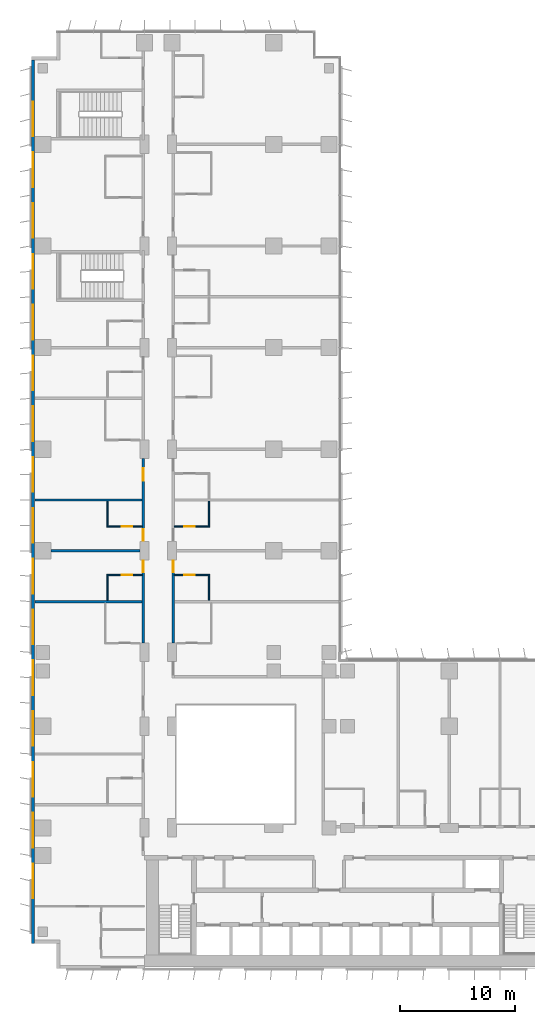
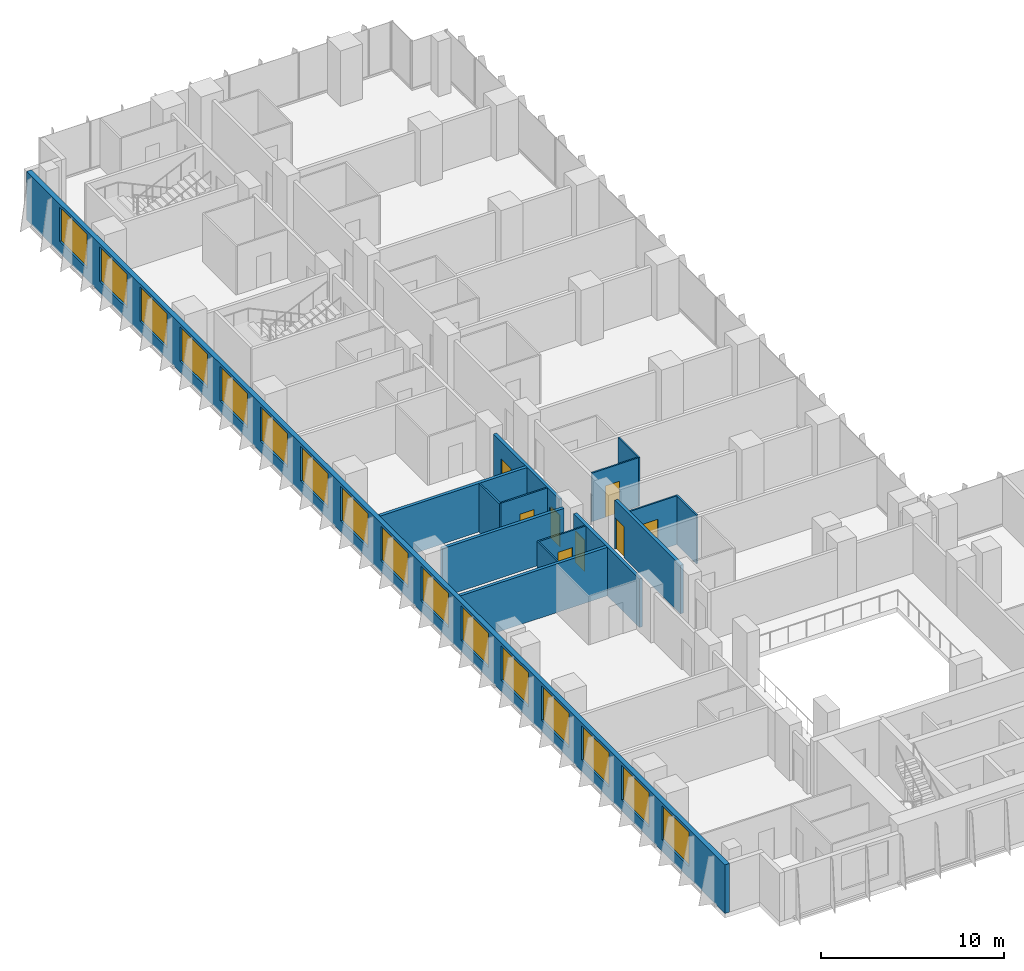
# One storey, part 15 of 23: 16 windows, 15 walls, 8 doors, 24 openings.
"""IFC4 building model written with IfcOpenShell, lengths in metres."""

from ifc_helpers import new_model, si_unit, direction, frame, frame_2d, origin, place, context, subcontext, project, spatial, rectangle, extrude, material, layer, layer_set, type_object, element, fill, save


model = new_model("IFC4")

# Units and contexts
model_context = context("Model", 3, precision=1e-05, world=origin(), true_north=direction((0.0, 1.0)))
body_context = subcontext(model_context, "Body", "Model", "MODEL_VIEW")
ifc_project = project(units=[si_unit("LENGTHUNIT", "METRE"), si_unit("AREAUNIT", "SQUARE_METRE"), si_unit("VOLUMEUNIT", "CUBIC_METRE"), si_unit("PLANEANGLEUNIT", "RADIAN"), si_unit("MASSUNIT", "GRAM", prefix="KILO")], contexts=[model_context])

# Site, building, storey
site_placement = place(None, origin())
site = spatial("IfcSite", under=ifc_project, at=site_placement, CompositionType="ELEMENT")
building_placement = place(site_placement, origin())
building = spatial("IfcBuilding", under=site, at=building_placement, Name="Kemantara Hotel Tower", CompositionType="ELEMENT")
storey_placement = place(building_placement, frame((0.0, 0.0, 67.300048828125)))
storey = spatial("IfcBuildingStorey", under=building, at=storey_placement, Name="L15", CompositionType="ELEMENT", Elevation=67.300048828125)

# Wall, openings, windows
ifc_material_1 = material(Name="Bronze anodised aluminium cladding on insulated steel stud wall", Category="steel")
ifc_layer_1 = layer(ifc_material_1, 0.300048828125)
ifc_layer_set_1 = layer_set([ifc_layer_1], Name="Bronze anodised aluminium cladding on insulated steel stud wall")
wall_type_1 = type_object("IfcWallType", Name="BRONZE METAL-CLAD EXTERNAL WALL 300", PredefinedType="STANDARD", material=ifc_layer_set_1)
wall_1_placement = place(storey_placement, frame((0.14990234375, 78.699951171875, 0.0), z_axis=(0.0, 0.0, 1.0), x_axis=(0.0, -1.0, 0.0)))
wall_1 = element("IfcWall", 1, at=wall_1_placement, inside=storey, type_object=wall_type_1, Name="EXTERNAL WALL L15 T1-R14", PredefinedType="STANDARD", context=body_context, shape_type="SweptSolid", body=[
    extrude(rectangle(XDim=76.5, YDim=0.300048828125, at=frame_2d((38.25, 0.0))), origin(), (0.0, 0.0, 1.0), 3.25),
])
opening_1_placement = place(wall_1_placement, frame((3.60009765625, 0.0, 0.75)))
opening_1 = element("IfcOpeningElement", 2, at=opening_1_placement, cuts=wall_1, Name="Opening W1", PredefinedType="OPENING", context=body_context, shape_type="SweptSolid", body=[
    extrude(rectangle(XDim=3.0, YDim=2.300048828125, at=frame_2d((1.5, 1.14990234375))), frame((0.0, 0.159912109375, 0.0), z_axis=(0.0, -1.0, 0.0), x_axis=(1.0, 0.0, 0.0)), (0.0, 0.0, 1.0), 0.320068359375),
])
opening_2_placement = place(wall_1_placement, frame((8.0, 0.0, 0.75)))
opening_2 = element("IfcOpeningElement", 3, at=opening_2_placement, cuts=wall_1, Name="Opening W1", PredefinedType="OPENING", context=body_context, shape_type="SweptSolid", body=[
    extrude(rectangle(XDim=3.0, YDim=2.300048828125, at=frame_2d((1.5, 1.14990234375))), frame((0.0, 0.159912109375, 0.0), z_axis=(0.0, -1.0, 0.0), x_axis=(1.0, 0.0, 0.0)), (0.0, 0.0, 1.0), 0.320068359375),
])
opening_3_placement = place(wall_1_placement, frame((12.39990234375, 0.0, 0.75)))
opening_3 = element("IfcOpeningElement", 4, at=opening_3_placement, cuts=wall_1, Name="Opening W1", PredefinedType="OPENING", context=body_context, shape_type="SweptSolid", body=[
    extrude(rectangle(XDim=3.0, YDim=2.300048828125, at=frame_2d((1.5, 1.14990234375))), frame((0.0, 0.159912109375, 0.0), z_axis=(0.0, -1.0, 0.0), x_axis=(1.0, 0.0, 0.0)), (0.0, 0.0, 1.0), 0.320068359375),
])
opening_4_placement = place(wall_1_placement, frame((16.800048828125, 0.0, 0.75)))
opening_4 = element("IfcOpeningElement", 5, at=opening_4_placement, cuts=wall_1, Name="Opening W1", PredefinedType="OPENING", context=body_context, shape_type="SweptSolid", body=[
    extrude(rectangle(XDim=3.0, YDim=2.300048828125, at=frame_2d((1.5, 1.14990234375))), frame((0.0, 0.159912109375, 0.0), z_axis=(0.0, -1.0, 0.0), x_axis=(1.0, 0.0, 0.0)), (0.0, 0.0, 1.0), 0.320068359375),
])
opening_5_placement = place(wall_1_placement, frame((21.199951171875, 0.0, 0.75)))
opening_5 = element("IfcOpeningElement", 6, at=opening_5_placement, cuts=wall_1, Name="Opening W1", PredefinedType="OPENING", context=body_context, shape_type="SweptSolid", body=[
    extrude(rectangle(XDim=3.0, YDim=2.300048828125, at=frame_2d((1.5, 1.14990234375))), frame((0.0, 0.159912109375, 0.0), z_axis=(0.0, -1.0, 0.0), x_axis=(1.0, 0.0, 0.0)), (0.0, 0.0, 1.0), 0.320068359375),
])
opening_6_placement = place(wall_1_placement, frame((25.60009765625, 0.0, 0.75)))
opening_6 = element("IfcOpeningElement", 7, at=opening_6_placement, cuts=wall_1, Name="Opening W1", PredefinedType="OPENING", context=body_context, shape_type="SweptSolid", body=[
    extrude(rectangle(XDim=3.0, YDim=2.300048828125, at=frame_2d((1.5, 1.14990234375))), frame((0.0, 0.159912109375, 0.0), z_axis=(0.0, -1.0, 0.0), x_axis=(1.0, 0.0, 0.0)), (0.0, 0.0, 1.0), 0.320068359375),
])
opening_7_placement = place(wall_1_placement, frame((30.0, 0.0, 0.75)))
opening_7 = element("IfcOpeningElement", 8, at=opening_7_placement, cuts=wall_1, Name="Opening W1", PredefinedType="OPENING", context=body_context, shape_type="SweptSolid", body=[
    extrude(rectangle(XDim=3.0, YDim=2.300048828125, at=frame_2d((1.5, 1.14990234375))), frame((0.0, 0.159912109375, 0.0), z_axis=(0.0, -1.0, 0.0), x_axis=(1.0, 0.0, 0.0)), (0.0, 0.0, 1.0), 0.320068359375),
])
opening_8_placement = place(wall_1_placement, frame((34.39990234375, 0.0, 0.75)))
opening_8 = element("IfcOpeningElement", 9, at=opening_8_placement, cuts=wall_1, Name="Opening W1", PredefinedType="OPENING", context=body_context, shape_type="SweptSolid", body=[
    extrude(rectangle(XDim=3.0, YDim=2.300048828125, at=frame_2d((1.5, 1.14990234375))), frame((0.0, 0.159912109375, 0.0), z_axis=(0.0, -1.0, 0.0), x_axis=(1.0, 0.0, 0.0)), (0.0, 0.0, 1.0), 0.320068359375),
])
opening_9_placement = place(wall_1_placement, frame((38.800048828125, 0.0, 0.75)))
opening_9 = element("IfcOpeningElement", 10, at=opening_9_placement, cuts=wall_1, Name="Opening W1", PredefinedType="OPENING", context=body_context, shape_type="SweptSolid", body=[
    extrude(rectangle(XDim=3.0, YDim=2.300048828125, at=frame_2d((1.5, 1.14990234375))), frame((0.0, 0.159912109375, 0.0), z_axis=(0.0, -1.0, 0.0), x_axis=(1.0, 0.0, 0.0)), (0.0, 0.0, 1.0), 0.320068359375),
])
opening_10_placement = place(wall_1_placement, frame((43.199951171875, 0.0, 0.75)))
opening_10 = element("IfcOpeningElement", 11, at=opening_10_placement, cuts=wall_1, Name="Opening W1", PredefinedType="OPENING", context=body_context, shape_type="SweptSolid", body=[
    extrude(rectangle(XDim=3.0, YDim=2.300048828125, at=frame_2d((1.5, 1.14990234375))), frame((0.0, 0.159912109375, 0.0), z_axis=(0.0, -1.0, 0.0), x_axis=(1.0, 0.0, 0.0)), (0.0, 0.0, 1.0), 0.320068359375),
])
opening_11_placement = place(wall_1_placement, frame((47.60009765625, 0.0, 0.75)))
opening_11 = element("IfcOpeningElement", 12, at=opening_11_placement, cuts=wall_1, Name="Opening W1", PredefinedType="OPENING", context=body_context, shape_type="SweptSolid", body=[
    extrude(rectangle(XDim=3.0, YDim=2.300048828125, at=frame_2d((1.5, 1.14990234375))), frame((0.0, 0.159912109375, 0.0), z_axis=(0.0, -1.0, 0.0), x_axis=(1.0, 0.0, 0.0)), (0.0, 0.0, 1.0), 0.320068359375),
])
opening_12_placement = place(wall_1_placement, frame((52.0, 0.0, 0.75)))
opening_12 = element("IfcOpeningElement", 13, at=opening_12_placement, cuts=wall_1, Name="Opening W1", PredefinedType="OPENING", context=body_context, shape_type="SweptSolid", body=[
    extrude(rectangle(XDim=3.0, YDim=2.300048828125, at=frame_2d((1.5, 1.14990234375))), frame((0.0, 0.159912109375, 0.0), z_axis=(0.0, -1.0, 0.0), x_axis=(1.0, 0.0, 0.0)), (0.0, 0.0, 1.0), 0.320068359375),
])
opening_13_placement = place(wall_1_placement, frame((56.39990234375, 0.0, 0.75)))
opening_13 = element("IfcOpeningElement", 14, at=opening_13_placement, cuts=wall_1, Name="Opening W1", PredefinedType="OPENING", context=body_context, shape_type="SweptSolid", body=[
    extrude(rectangle(XDim=3.0, YDim=2.300048828125, at=frame_2d((1.5, 1.14990234375))), frame((0.0, 0.159912109375, 0.0), z_axis=(0.0, -1.0, 0.0), x_axis=(1.0, 0.0, 0.0)), (0.0, 0.0, 1.0), 0.320068359375),
])
opening_14_placement = place(wall_1_placement, frame((60.800048828125, 0.0, 0.75)))
opening_14 = element("IfcOpeningElement", 15, at=opening_14_placement, cuts=wall_1, Name="Opening W1", PredefinedType="OPENING", context=body_context, shape_type="SweptSolid", body=[
    extrude(rectangle(XDim=3.0, YDim=2.300048828125, at=frame_2d((1.5, 1.14990234375))), frame((0.0, 0.159912109375, 0.0), z_axis=(0.0, -1.0, 0.0), x_axis=(1.0, 0.0, 0.0)), (0.0, 0.0, 1.0), 0.320068359375),
])
opening_15_placement = place(wall_1_placement, frame((65.199951171875, 0.0, 0.75)))
opening_15 = element("IfcOpeningElement", 16, at=opening_15_placement, cuts=wall_1, Name="Opening W1", PredefinedType="OPENING", context=body_context, shape_type="SweptSolid", body=[
    extrude(rectangle(XDim=3.0, YDim=2.300048828125, at=frame_2d((1.5, 1.14990234375))), frame((0.0, 0.159912109375, 0.0), z_axis=(0.0, -1.0, 0.0), x_axis=(1.0, 0.0, 0.0)), (0.0, 0.0, 1.0), 0.320068359375),
])
opening_16_placement = place(wall_1_placement, frame((69.60009765625, 0.0, 0.75)))
opening_16 = element("IfcOpeningElement", 17, at=opening_16_placement, cuts=wall_1, Name="Opening W1", PredefinedType="OPENING", context=body_context, shape_type="SweptSolid", body=[
    extrude(rectangle(XDim=3.0, YDim=2.300048828125, at=frame_2d((1.5, 1.14990234375))), frame((0.0, 0.159912109375, 0.0), z_axis=(0.0, -1.0, 0.0), x_axis=(1.0, 0.0, 0.0)), (0.0, 0.0, 1.0), 0.320068359375),
])
ifc_material_2 = material(Name="Low-E tinted double insulated glass in bronze anodised aluminium frame", Category="aluminium")
window_type = type_object("IfcWindowType", Name="CHICAGO WINDOW, TRIPLE PANEL 3000x2300", PartitioningType="TRIPLE_PANEL_VERTICAL", PredefinedType="WINDOW", material=ifc_material_2)
window_1_placement = place(opening_1_placement, origin())
window_1 = element("IfcWindow", 18, at=window_1_placement, inside=storey, type_object=window_type, Name="CHICAGO WINDOW L15 T1-R14-54", OverallHeight=2.300048828125, OverallWidth=3.0, PartitioningType="SINGLE_PANEL", PredefinedType="WINDOW", context=body_context, shape_type="SweptSolid", body=[
    extrude(rectangle(XDim=3.0, YDim=2.300048828125, at=frame_2d((1.5, 1.14990234375))), frame((0.0, 0.030029296875, 0.0), z_axis=(0.0, -1.0, 0.0), x_axis=(1.0, 0.0, 0.0)), (0.0, 0.0, 1.0), 0.06005859375),
])
fill(opening_1, window_1)
window_2_placement = place(opening_2_placement, origin())
window_2 = element("IfcWindow", 19, at=window_2_placement, inside=storey, type_object=window_type, Name="CHICAGO WINDOW L15 T1-R14-98", OverallHeight=2.300048828125, OverallWidth=3.0, PartitioningType="SINGLE_PANEL", PredefinedType="WINDOW", context=body_context, shape_type="SweptSolid", body=[
    extrude(rectangle(XDim=3.0, YDim=2.300048828125, at=frame_2d((1.5, 1.14990234375))), frame((0.0, 0.030029296875, 0.0), z_axis=(0.0, -1.0, 0.0), x_axis=(1.0, 0.0, 0.0)), (0.0, 0.0, 1.0), 0.06005859375),
])
fill(opening_2, window_2)
window_3_placement = place(opening_3_placement, origin())
window_3 = element("IfcWindow", 20, at=window_3_placement, inside=storey, type_object=window_type, Name="CHICAGO WINDOW L15 T1-R14-142", OverallHeight=2.300048828125, OverallWidth=3.0, PartitioningType="SINGLE_PANEL", PredefinedType="WINDOW", context=body_context, shape_type="SweptSolid", body=[
    extrude(rectangle(XDim=3.0, YDim=2.300048828125, at=frame_2d((1.5, 1.14990234375))), frame((0.0, 0.030029296875, 0.0), z_axis=(0.0, -1.0, 0.0), x_axis=(1.0, 0.0, 0.0)), (0.0, 0.0, 1.0), 0.06005859375),
])
fill(opening_3, window_3)
window_4_placement = place(opening_4_placement, origin())
window_4 = element("IfcWindow", 21, at=window_4_placement, inside=storey, type_object=window_type, Name="CHICAGO WINDOW L15 T1-R14-186", OverallHeight=2.300048828125, OverallWidth=3.0, PartitioningType="SINGLE_PANEL", PredefinedType="WINDOW", context=body_context, shape_type="SweptSolid", body=[
    extrude(rectangle(XDim=3.0, YDim=2.300048828125, at=frame_2d((1.5, 1.14990234375))), frame((0.0, 0.030029296875, 0.0), z_axis=(0.0, -1.0, 0.0), x_axis=(1.0, 0.0, 0.0)), (0.0, 0.0, 1.0), 0.06005859375),
])
fill(opening_4, window_4)
window_5_placement = place(opening_5_placement, origin())
window_5 = element("IfcWindow", 22, at=window_5_placement, inside=storey, type_object=window_type, Name="CHICAGO WINDOW L15 T1-R14-230", OverallHeight=2.300048828125, OverallWidth=3.0, PartitioningType="SINGLE_PANEL", PredefinedType="WINDOW", context=body_context, shape_type="SweptSolid", body=[
    extrude(rectangle(XDim=3.0, YDim=2.300048828125, at=frame_2d((1.5, 1.14990234375))), frame((0.0, 0.030029296875, 0.0), z_axis=(0.0, -1.0, 0.0), x_axis=(1.0, 0.0, 0.0)), (0.0, 0.0, 1.0), 0.06005859375),
])
fill(opening_5, window_5)
window_6_placement = place(opening_6_placement, origin())
window_6 = element("IfcWindow", 23, at=window_6_placement, inside=storey, type_object=window_type, Name="CHICAGO WINDOW L15 T1-R14-274", OverallHeight=2.300048828125, OverallWidth=3.0, PartitioningType="SINGLE_PANEL", PredefinedType="WINDOW", context=body_context, shape_type="SweptSolid", body=[
    extrude(rectangle(XDim=3.0, YDim=2.300048828125, at=frame_2d((1.5, 1.14990234375))), frame((0.0, 0.030029296875, 0.0), z_axis=(0.0, -1.0, 0.0), x_axis=(1.0, 0.0, 0.0)), (0.0, 0.0, 1.0), 0.06005859375),
])
fill(opening_6, window_6)
window_7_placement = place(opening_7_placement, origin())
window_7 = element("IfcWindow", 24, at=window_7_placement, inside=storey, type_object=window_type, Name="CHICAGO WINDOW L15 T1-R14-318", OverallHeight=2.300048828125, OverallWidth=3.0, PartitioningType="SINGLE_PANEL", PredefinedType="WINDOW", context=body_context, shape_type="SweptSolid", body=[
    extrude(rectangle(XDim=3.0, YDim=2.300048828125, at=frame_2d((1.5, 1.14990234375))), frame((0.0, 0.030029296875, 0.0), z_axis=(0.0, -1.0, 0.0), x_axis=(1.0, 0.0, 0.0)), (0.0, 0.0, 1.0), 0.06005859375),
])
fill(opening_7, window_7)
window_8_placement = place(opening_8_placement, origin())
window_8 = element("IfcWindow", 25, at=window_8_placement, inside=storey, type_object=window_type, Name="CHICAGO WINDOW L15 T1-R14-362", OverallHeight=2.300048828125, OverallWidth=3.0, PartitioningType="SINGLE_PANEL", PredefinedType="WINDOW", context=body_context, shape_type="SweptSolid", body=[
    extrude(rectangle(XDim=3.0, YDim=2.300048828125, at=frame_2d((1.5, 1.14990234375))), frame((0.0, 0.030029296875, 0.0), z_axis=(0.0, -1.0, 0.0), x_axis=(1.0, 0.0, 0.0)), (0.0, 0.0, 1.0), 0.06005859375),
])
fill(opening_8, window_8)
window_9_placement = place(opening_9_placement, origin())
window_9 = element("IfcWindow", 26, at=window_9_placement, inside=storey, type_object=window_type, Name="CHICAGO WINDOW L15 T1-R14-406", OverallHeight=2.300048828125, OverallWidth=3.0, PartitioningType="SINGLE_PANEL", PredefinedType="WINDOW", context=body_context, shape_type="SweptSolid", body=[
    extrude(rectangle(XDim=3.0, YDim=2.300048828125, at=frame_2d((1.5, 1.14990234375))), frame((0.0, 0.030029296875, 0.0), z_axis=(0.0, -1.0, 0.0), x_axis=(1.0, 0.0, 0.0)), (0.0, 0.0, 1.0), 0.06005859375),
])
fill(opening_9, window_9)
window_10_placement = place(opening_10_placement, origin())
window_10 = element("IfcWindow", 27, at=window_10_placement, inside=storey, type_object=window_type, Name="CHICAGO WINDOW L15 T1-R14-450", OverallHeight=2.300048828125, OverallWidth=3.0, PartitioningType="SINGLE_PANEL", PredefinedType="WINDOW", context=body_context, shape_type="SweptSolid", body=[
    extrude(rectangle(XDim=3.0, YDim=2.300048828125, at=frame_2d((1.5, 1.14990234375))), frame((0.0, 0.030029296875, 0.0), z_axis=(0.0, -1.0, 0.0), x_axis=(1.0, 0.0, 0.0)), (0.0, 0.0, 1.0), 0.06005859375),
])
fill(opening_10, window_10)
window_11_placement = place(opening_11_placement, origin())
window_11 = element("IfcWindow", 28, at=window_11_placement, inside=storey, type_object=window_type, Name="CHICAGO WINDOW L15 T1-R14-494", OverallHeight=2.300048828125, OverallWidth=3.0, PartitioningType="SINGLE_PANEL", PredefinedType="WINDOW", context=body_context, shape_type="SweptSolid", body=[
    extrude(rectangle(XDim=3.0, YDim=2.300048828125, at=frame_2d((1.5, 1.14990234375))), frame((0.0, 0.030029296875, 0.0), z_axis=(0.0, -1.0, 0.0), x_axis=(1.0, 0.0, 0.0)), (0.0, 0.0, 1.0), 0.06005859375),
])
fill(opening_11, window_11)
window_12_placement = place(opening_12_placement, origin())
window_12 = element("IfcWindow", 29, at=window_12_placement, inside=storey, type_object=window_type, Name="CHICAGO WINDOW L15 T1-R14-538", OverallHeight=2.300048828125, OverallWidth=3.0, PartitioningType="SINGLE_PANEL", PredefinedType="WINDOW", context=body_context, shape_type="SweptSolid", body=[
    extrude(rectangle(XDim=3.0, YDim=2.300048828125, at=frame_2d((1.5, 1.14990234375))), frame((0.0, 0.030029296875, 0.0), z_axis=(0.0, -1.0, 0.0), x_axis=(1.0, 0.0, 0.0)), (0.0, 0.0, 1.0), 0.06005859375),
])
fill(opening_12, window_12)
window_13_placement = place(opening_13_placement, origin())
window_13 = element("IfcWindow", 30, at=window_13_placement, inside=storey, type_object=window_type, Name="CHICAGO WINDOW L15 T1-R14-582", OverallHeight=2.300048828125, OverallWidth=3.0, PartitioningType="SINGLE_PANEL", PredefinedType="WINDOW", context=body_context, shape_type="SweptSolid", body=[
    extrude(rectangle(XDim=3.0, YDim=2.300048828125, at=frame_2d((1.5, 1.14990234375))), frame((0.0, 0.030029296875, 0.0), z_axis=(0.0, -1.0, 0.0), x_axis=(1.0, 0.0, 0.0)), (0.0, 0.0, 1.0), 0.06005859375),
])
fill(opening_13, window_13)
window_14_placement = place(opening_14_placement, origin())
window_14 = element("IfcWindow", 31, at=window_14_placement, inside=storey, type_object=window_type, Name="CHICAGO WINDOW L15 T1-R14-626", OverallHeight=2.300048828125, OverallWidth=3.0, PartitioningType="SINGLE_PANEL", PredefinedType="WINDOW", context=body_context, shape_type="SweptSolid", body=[
    extrude(rectangle(XDim=3.0, YDim=2.300048828125, at=frame_2d((1.5, 1.14990234375))), frame((0.0, 0.030029296875, 0.0), z_axis=(0.0, -1.0, 0.0), x_axis=(1.0, 0.0, 0.0)), (0.0, 0.0, 1.0), 0.06005859375),
])
fill(opening_14, window_14)
window_15_placement = place(opening_15_placement, origin())
window_15 = element("IfcWindow", 32, at=window_15_placement, inside=storey, type_object=window_type, Name="CHICAGO WINDOW L15 T1-R14-670", OverallHeight=2.300048828125, OverallWidth=3.0, PartitioningType="SINGLE_PANEL", PredefinedType="WINDOW", context=body_context, shape_type="SweptSolid", body=[
    extrude(rectangle(XDim=3.0, YDim=2.300048828125, at=frame_2d((1.5, 1.14990234375))), frame((0.0, 0.030029296875, 0.0), z_axis=(0.0, -1.0, 0.0), x_axis=(1.0, 0.0, 0.0)), (0.0, 0.0, 1.0), 0.06005859375),
])
fill(opening_15, window_15)
window_16_placement = place(opening_16_placement, origin())
window_16 = element("IfcWindow", 33, at=window_16_placement, inside=storey, type_object=window_type, Name="CHICAGO WINDOW L15 T1-R14-714", OverallHeight=2.300048828125, OverallWidth=3.0, PartitioningType="SINGLE_PANEL", PredefinedType="WINDOW", context=body_context, shape_type="SweptSolid", body=[
    extrude(rectangle(XDim=3.0, YDim=2.300048828125, at=frame_2d((1.5, 1.14990234375))), frame((0.0, 0.030029296875, 0.0), z_axis=(0.0, -1.0, 0.0), x_axis=(1.0, 0.0, 0.0)), (0.0, 0.0, 1.0), 0.06005859375),
])
fill(opening_16, window_16)

# Wall, opening, door
ifc_material_3 = material(Name="Gypsum board partition, steel studs and mineral wool, 200 mm", Category="steel")
ifc_layer_2 = layer(ifc_material_3, 0.199951171875)
ifc_layer_set_2 = layer_set([ifc_layer_2], Name="Gypsum board partition, steel studs and mineral wool, 200 mm")
wall_type_2 = type_object("IfcWallType", Name="CORRIDOR WALL 200", PredefinedType="PARTITIONING", material=ifc_layer_set_2)
wall_2_placement = place(storey_placement, frame((9.699951171875, 28.2001953125, 0.0), z_axis=(0.0, 0.0, 1.0), x_axis=(0.0, 1.0, 0.0)))
wall_2 = element("IfcWall", 34, at=wall_2_placement, inside=storey, type_object=wall_type_2, Name="CORRIDOR WALL 200 029", PredefinedType="PARTITIONING", context=body_context, shape_type="SweptSolid", body=[
    extrude(rectangle(XDim=7.19970703125, YDim=0.199951171875, at=frame_2d((3.599853515625, 0.0))), origin(), (0.0, 0.0, 1.0), 3.25),
])
opening_17_placement = place(wall_2_placement, frame((6.14990234375, 0.0, 0.0)))
opening_17 = element("IfcOpeningElement", 35, at=opening_17_placement, cuts=wall_2, Name="Opening F05-035", PredefinedType="OPENING", context=body_context, shape_type="SweptSolid", body=[
    extrude(rectangle(XDim=1.0, YDim=2.10009765625, at=frame_2d((0.5, 1.050048828125))), frame((0.0, 0.10986328125, 0.0), z_axis=(0.0, -1.0, 0.0), x_axis=(1.0, 0.0, 0.0)), (0.0, 0.0, 1.0), 0.219970703125),
])
ifc_material_4 = material(Name="Hardwood veneer door leaf with steel frame", Category="steel")
door_type_1 = type_object("IfcDoorType", Name="GUEST ROOM DOOR 1000 X 2100 FD30S", OperationType="NOTDEFINED", PredefinedType="DOOR", material=ifc_material_4)
door_1_placement = place(opening_17_placement, origin())
door_1 = element("IfcDoor", 36, at=door_1_placement, inside=storey, type_object=door_type_1, Name="GUEST ROOM DOOR F05-035", OperationType="SINGLE_SWING_RIGHT", OverallHeight=2.10009765625, OverallWidth=1.0, PredefinedType="DOOR", context=body_context, shape_type="SweptSolid", body=[
    extrude(rectangle(XDim=1.0, YDim=2.10009765625, at=frame_2d((0.5, 1.050048828125))), frame((0.0, 0.02490234375, 0.0), z_axis=(0.0, -1.0, 0.0), x_axis=(1.0, 0.0, 0.0)), (0.0, 0.0, 1.0), 0.050048828125),
])
fill(opening_17, door_1)

# Wall, openings, doors
wall_3_placement = place(storey_placement, frame((9.699951171875, 37.0, 0.0), z_axis=(0.0, 0.0, 1.0), x_axis=(0.0, 1.0, 0.0)))
wall_3 = element("IfcWall", 37, at=wall_3_placement, inside=storey, type_object=wall_type_2, Name="CORRIDOR WALL 200 030", PredefinedType="PARTITIONING", context=body_context, shape_type="SweptSolid", body=[
    extrude(rectangle(XDim=7.199951171875, YDim=0.199951171875, at=frame_2d((3.60009765625, 0.0))), origin(), (0.0, 0.0, 1.0), 3.25),
])
opening_18_placement = place(wall_3_placement, frame((0.0498046875, 0.0, 0.0)))
opening_18 = element("IfcOpeningElement", 38, at=opening_18_placement, cuts=wall_3, Name="Opening F05-037", PredefinedType="OPENING", context=body_context, shape_type="SweptSolid", body=[
    extrude(rectangle(XDim=1.0, YDim=2.10009765625, at=frame_2d((0.5, 1.050048828125))), frame((0.0, 0.10986328125, 0.0), z_axis=(0.0, -1.0, 0.0), x_axis=(1.0, 0.0, 0.0)), (0.0, 0.0, 1.0), 0.219970703125),
])
opening_19_placement = place(wall_3_placement, frame((5.25, 0.0, 0.0)))
opening_19 = element("IfcOpeningElement", 39, at=opening_19_placement, cuts=wall_3, Name="Opening F05-039", PredefinedType="OPENING", context=body_context, shape_type="SweptSolid", body=[
    extrude(rectangle(XDim=1.10009765625, YDim=2.10009765625, at=frame_2d((0.550048828125, 1.050048828125))), frame((0.0, 0.10986328125, 0.0), z_axis=(0.0, -1.0, 0.0), x_axis=(1.0, 0.0, 0.0)), (0.0, 0.0, 1.0), 0.219970703125),
])
door_2_placement = place(opening_18_placement, origin())
door_2 = element("IfcDoor", 40, at=door_2_placement, inside=storey, type_object=door_type_1, Name="GUEST ROOM DOOR F05-037", OperationType="SINGLE_SWING_LEFT", OverallHeight=2.10009765625, OverallWidth=1.0, PredefinedType="DOOR", context=body_context, shape_type="SweptSolid", body=[
    extrude(rectangle(XDim=1.0, YDim=2.10009765625, at=frame_2d((0.5, 1.050048828125))), frame((0.0, 0.02490234375, 0.0), z_axis=(0.0, -1.0, 0.0), x_axis=(1.0, 0.0, 0.0)), (0.0, 0.0, 1.0), 0.050048828125),
])
fill(opening_18, door_2)
door_type_2 = type_object("IfcDoorType", Name="SUITE ENTRANCE DOOR 1100 X 2100 FD30S", OperationType="NOTDEFINED", PredefinedType="DOOR", material=ifc_material_4)
door_3_placement = place(opening_19_placement, origin())
door_3 = element("IfcDoor", 41, at=door_3_placement, inside=storey, type_object=door_type_2, Name="SUITE ENTRANCE DOOR F05-039", OperationType="SINGLE_SWING_LEFT", OverallHeight=2.10009765625, OverallWidth=1.10009765625, PredefinedType="DOOR", context=body_context, shape_type="SweptSolid", body=[
    extrude(rectangle(XDim=1.10009765625, YDim=2.10009765625, at=frame_2d((0.550048828125, 1.050048828125))), frame((0.0, 0.02490234375, 0.0), z_axis=(0.0, -1.0, 0.0), x_axis=(1.0, 0.0, 0.0)), (0.0, 0.0, 1.0), 0.050048828125),
])
fill(opening_19, door_3)

# Wall, opening, door
wall_4_placement = place(storey_placement, frame((12.300048828125, 35.39990234375, 0.0), z_axis=(0.0, 0.0, 1.0), x_axis=(0.0, -1.0, 0.0)))
wall_4 = element("IfcWall", 42, at=wall_4_placement, inside=storey, type_object=wall_type_2, Name="CORRIDOR WALL 200 049", PredefinedType="PARTITIONING", context=body_context, shape_type="SweptSolid", body=[
    extrude(rectangle(XDim=7.19970703125, YDim=0.199951171875, at=frame_2d((3.599853515625, 0.0))), origin(), (0.0, 0.0, 1.0), 3.25),
])
opening_20_placement = place(wall_4_placement, frame((0.0498046875, 0.0, 0.0)))
opening_20 = element("IfcOpeningElement", 43, at=opening_20_placement, cuts=wall_4, Name="Opening F05-051", PredefinedType="OPENING", context=body_context, shape_type="SweptSolid", body=[
    extrude(rectangle(XDim=1.0, YDim=2.10009765625, at=frame_2d((0.5, 1.050048828125))), frame((0.0, 0.10986328125, 0.0), z_axis=(0.0, -1.0, 0.0), x_axis=(1.0, 0.0, 0.0)), (0.0, 0.0, 1.0), 0.219970703125),
])
door_4_placement = place(opening_20_placement, origin())
door_4 = element("IfcDoor", 44, at=door_4_placement, inside=storey, type_object=door_type_1, Name="GUEST ROOM DOOR F05-051", OperationType="SINGLE_SWING_LEFT", OverallHeight=2.10009765625, OverallWidth=1.0, PredefinedType="DOOR", context=body_context, shape_type="SweptSolid", body=[
    extrude(rectangle(XDim=1.0, YDim=2.10009765625, at=frame_2d((0.5, 1.050048828125))), frame((0.0, 0.02490234375, 0.0), z_axis=(0.0, -1.0, 0.0), x_axis=(1.0, 0.0, 0.0)), (0.0, 0.0, 1.0), 0.050048828125),
])
fill(opening_20, door_4)

# Walls
ifc_layer_3 = layer(ifc_material_3, 0.199951171875)
ifc_layer_set_3 = layer_set([ifc_layer_3], Name="Gypsum board partition, steel studs and mineral wool, 200 mm")
wall_type_3 = type_object("IfcWallType", Name="GUEST ROOM PARTY WALL 200", PredefinedType="PARTITIONING", material=ifc_layer_set_3)
wall_5_placement = place(storey_placement, frame((0.31005859375, 31.800048828125, 0.0), z_axis=(0.0, 0.0, 1.0), x_axis=(1.0, 0.0, 0.0)))
element("IfcWall", 45, at=wall_5_placement, inside=storey, type_object=wall_type_3, Name="GUEST ROOM PARTY WALL 200 037", PredefinedType="PARTITIONING", context=body_context, shape_type="SweptSolid", body=[
    extrude(rectangle(XDim=9.2900390625, YDim=0.199951171875, at=frame_2d((4.64501953125, 0.0))), origin(), (0.0, 0.0, 1.0), 3.25),
])
wall_6_placement = place(storey_placement, frame((1.7001953125, 36.199951171875, 0.0), z_axis=(0.0, 0.0, 1.0), x_axis=(1.0, 0.0, 0.0)))
element("IfcWall", 46, at=wall_6_placement, inside=storey, type_object=wall_type_3, Name="GUEST ROOM PARTY WALL 200 039", PredefinedType="PARTITIONING", context=body_context, shape_type="SweptSolid", body=[
    extrude(rectangle(XDim=7.69970703125, YDim=0.199951171875, at=frame_2d((3.849853515625, 0.0))), origin(), (0.0, 0.0, 1.0), 3.25),
])
wall_7_placement = place(storey_placement, frame((0.31005859375, 40.60009765625, 0.0), z_axis=(0.0, 0.0, 1.0), x_axis=(1.0, 0.0, 0.0)))
element("IfcWall", 47, at=wall_7_placement, inside=storey, type_object=wall_type_3, Name="GUEST ROOM PARTY WALL 200 042", PredefinedType="PARTITIONING", context=body_context, shape_type="SweptSolid", body=[
    extrude(rectangle(XDim=9.2900390625, YDim=0.199951171875, at=frame_2d((4.64501953125, 0.0))), origin(), (0.0, 0.0, 1.0), 3.25),
])
ifc_material_5 = material(Name="Gypsum board partition on steel studs, 100 mm", Category="steel")
ifc_layer_4 = layer(ifc_material_5, 0.10009765625)
ifc_layer_set_4 = layer_set([ifc_layer_4], Name="Gypsum board partition on steel studs, 100 mm")
wall_type_4 = type_object("IfcWallType", Name="ROOM PARTITION 100", PredefinedType="PARTITIONING", material=ifc_layer_set_4)
for number, where, z_axis, x_axis, name in (
    (48, (6.60009765625, 31.89990234375, 0.0), (0.0, 0.0, 1.0), (0.0, 1.0, 0.0), "ROOM PARTITION 100 097"),
    (49, (6.60009765625, 38.25, 0.0), (0.0, 0.0, 1.0), (0.0, 1.0, 0.0), "ROOM PARTITION 100 098"),
):
    element("IfcWall", number, at=place(storey_placement, frame(where, z_axis=z_axis, x_axis=x_axis)), inside=storey, type_object=wall_type_4, Name=name, PredefinedType="PARTITIONING", context=body_context, shape_type="SweptSolid", body=[
        extrude(rectangle(XDim=2.25, YDim=0.10009765625, at=frame_2d((1.125, 0.0))), origin(), (0.0, 0.0, 1.0), 3.25),
    ])

# Wall, opening, door
wall_8_placement = place(storey_placement, frame((9.60009765625, 34.10009765625, 0.0), z_axis=(0.0, 0.0, 1.0), x_axis=(-1.0, 0.0, 0.0)))
wall_8 = element("IfcWall", 50, at=wall_8_placement, inside=storey, type_object=wall_type_4, Name="ROOM PARTITION 100 107", PredefinedType="PARTITIONING", context=body_context, shape_type="SweptSolid", body=[
    extrude(rectangle(XDim=2.9501953125, YDim=0.10009765625, at=frame_2d((1.47509765625, 0.0))), origin(), (0.0, 0.0, 1.0), 3.25),
])
opening_21_placement = place(wall_8_placement, frame((0.85009765625, 0.0, 0.0)))
opening_21 = element("IfcOpeningElement", 51, at=opening_21_placement, cuts=wall_8, Name="Opening F05-036", PredefinedType="OPENING", context=body_context, shape_type="SweptSolid", body=[
    extrude(rectangle(XDim=0.89990234375, YDim=2.10009765625, at=frame_2d((0.449951171875, 1.050048828125))), frame((0.0, 0.06005859375, 0.0), z_axis=(0.0, -1.0, 0.0), x_axis=(1.0, 0.0, 0.0)), (0.0, 0.0, 1.0), 0.1201171875),
])
door_type_3 = type_object("IfcDoorType", Name="BATHROOM DOOR 900 X 2100", OperationType="NOTDEFINED", PredefinedType="DOOR", material=ifc_material_4)
door_5_placement = place(opening_21_placement, origin())
door_5 = element("IfcDoor", 52, at=door_5_placement, inside=storey, type_object=door_type_3, Name="BATHROOM DOOR F05-036", OperationType="SINGLE_SWING_LEFT", OverallHeight=2.10009765625, OverallWidth=0.89990234375, PredefinedType="DOOR", context=body_context, shape_type="SweptSolid", body=[
    extrude(rectangle(XDim=0.89990234375, YDim=2.10009765625, at=frame_2d((0.449951171875, 1.050048828125))), frame((0.0, 0.02490234375, 0.0), z_axis=(0.0, -1.0, 0.0), x_axis=(1.0, 0.0, 0.0)), (0.0, 0.0, 1.0), 0.050048828125),
])
fill(opening_21, door_5)

wall_9_placement = place(storey_placement, frame((15.35009765625, 34.10009765625, 0.0), z_axis=(0.0, 0.0, 1.0), x_axis=(-1.0, 0.0, 0.0)))
wall_9 = element("IfcWall", 53, at=wall_9_placement, inside=storey, type_object=wall_type_4, Name="ROOM PARTITION 100 108", PredefinedType="PARTITIONING", context=body_context, shape_type="SweptSolid", body=[
    extrude(rectangle(XDim=2.9501953125, YDim=0.10009765625, at=frame_2d((1.47509765625, 0.0))), origin(), (0.0, 0.0, 1.0), 3.25),
])
opening_22_placement = place(wall_9_placement, frame((1.199951171875, 0.0, 0.0)))
opening_22 = element("IfcOpeningElement", 54, at=opening_22_placement, cuts=wall_9, Name="Opening F05-052", PredefinedType="OPENING", context=body_context, shape_type="SweptSolid", body=[
    extrude(rectangle(XDim=0.89990234375, YDim=2.10009765625, at=frame_2d((0.449951171875, 1.050048828125))), frame((0.0, 0.06005859375, 0.0), z_axis=(0.0, -1.0, 0.0), x_axis=(1.0, 0.0, 0.0)), (0.0, 0.0, 1.0), 0.1201171875),
])
door_6_placement = place(opening_22_placement, origin())
door_6 = element("IfcDoor", 55, at=door_6_placement, inside=storey, type_object=door_type_3, Name="BATHROOM DOOR F05-052", OperationType="SINGLE_SWING_RIGHT", OverallHeight=2.10009765625, OverallWidth=0.89990234375, PredefinedType="DOOR", context=body_context, shape_type="SweptSolid", body=[
    extrude(rectangle(XDim=0.89990234375, YDim=2.10009765625, at=frame_2d((0.449951171875, 1.050048828125))), frame((0.0, 0.02490234375, 0.0), z_axis=(0.0, -1.0, 0.0), x_axis=(1.0, 0.0, 0.0)), (0.0, 0.0, 1.0), 0.050048828125),
])
fill(opening_22, door_6)

wall_10_placement = place(storey_placement, frame((6.64990234375, 38.300048828125, 0.0), z_axis=(0.0, 0.0, 1.0), x_axis=(1.0, 0.0, 0.0)))
wall_10 = element("IfcWall", 56, at=wall_10_placement, inside=storey, type_object=wall_type_4, Name="ROOM PARTITION 100 109", PredefinedType="PARTITIONING", context=body_context, shape_type="SweptSolid", body=[
    extrude(rectangle(XDim=2.9501953125, YDim=0.10009765625, at=frame_2d((1.47509765625, 0.0))), origin(), (0.0, 0.0, 1.0), 3.25),
])
opening_23_placement = place(wall_10_placement, frame((1.199951171875, 0.0, 0.0)))
opening_23 = element("IfcOpeningElement", 57, at=opening_23_placement, cuts=wall_10, Name="Opening F05-038", PredefinedType="OPENING", context=body_context, shape_type="SweptSolid", body=[
    extrude(rectangle(XDim=0.89990234375, YDim=2.10009765625, at=frame_2d((0.449951171875, 1.050048828125))), frame((0.0, 0.06005859375, 0.0), z_axis=(0.0, -1.0, 0.0), x_axis=(1.0, 0.0, 0.0)), (0.0, 0.0, 1.0), 0.1201171875),
])
door_7_placement = place(opening_23_placement, origin())
door_7 = element("IfcDoor", 58, at=door_7_placement, inside=storey, type_object=door_type_3, Name="BATHROOM DOOR F05-038", OperationType="SINGLE_SWING_RIGHT", OverallHeight=2.10009765625, OverallWidth=0.89990234375, PredefinedType="DOOR", context=body_context, shape_type="SweptSolid", body=[
    extrude(rectangle(XDim=0.89990234375, YDim=2.10009765625, at=frame_2d((0.449951171875, 1.050048828125))), frame((0.0, 0.02490234375, 0.0), z_axis=(0.0, -1.0, 0.0), x_axis=(1.0, 0.0, 0.0)), (0.0, 0.0, 1.0), 0.050048828125),
])
fill(opening_23, door_7)

wall_11_placement = place(storey_placement, frame((12.39990234375, 38.300048828125, 0.0), z_axis=(0.0, 0.0, 1.0), x_axis=(1.0, 0.0, 0.0)))
wall_11 = element("IfcWall", 59, at=wall_11_placement, inside=storey, type_object=wall_type_4, Name="ROOM PARTITION 100 110", PredefinedType="PARTITIONING", context=body_context, shape_type="SweptSolid", body=[
    extrude(rectangle(XDim=2.9501953125, YDim=0.10009765625, at=frame_2d((1.47509765625, 0.0))), origin(), (0.0, 0.0, 1.0), 3.25),
])
opening_24_placement = place(wall_11_placement, frame((0.85009765625, 0.0, 0.0)))
opening_24 = element("IfcOpeningElement", 60, at=opening_24_placement, cuts=wall_11, Name="Opening F05-054", PredefinedType="OPENING", context=body_context, shape_type="SweptSolid", body=[
    extrude(rectangle(XDim=0.89990234375, YDim=2.10009765625, at=frame_2d((0.449951171875, 1.050048828125))), frame((0.0, 0.06005859375, 0.0), z_axis=(0.0, -1.0, 0.0), x_axis=(1.0, 0.0, 0.0)), (0.0, 0.0, 1.0), 0.1201171875),
])
door_8_placement = place(opening_24_placement, origin())
door_8 = element("IfcDoor", 61, at=door_8_placement, inside=storey, type_object=door_type_3, Name="BATHROOM DOOR F05-054", OperationType="SINGLE_SWING_LEFT", OverallHeight=2.10009765625, OverallWidth=0.89990234375, PredefinedType="DOOR", context=body_context, shape_type="SweptSolid", body=[
    extrude(rectangle(XDim=0.89990234375, YDim=2.10009765625, at=frame_2d((0.449951171875, 1.050048828125))), frame((0.0, 0.02490234375, 0.0), z_axis=(0.0, -1.0, 0.0), x_axis=(1.0, 0.0, 0.0)), (0.0, 0.0, 1.0), 0.050048828125),
])
fill(opening_24, door_8)

# Walls
for number, where, z_axis, x_axis, name in (
    (62, (15.39990234375, 31.89990234375, 0.0), (0.0, 0.0, 1.0), (0.0, 1.0, 0.0), "ROOM PARTITION 100 120"),
    (63, (15.39990234375, 38.25, 0.0), (0.0, 0.0, 1.0), (0.0, 1.0, 0.0), "ROOM PARTITION 100 121"),
):
    element("IfcWall", number, at=place(storey_placement, frame(where, z_axis=z_axis, x_axis=x_axis)), inside=storey, type_object=wall_type_4, Name=name, PredefinedType="PARTITIONING", context=body_context, shape_type="SweptSolid", body=[
        extrude(rectangle(XDim=2.25, YDim=0.10009765625, at=frame_2d((1.125, 0.0))), origin(), (0.0, 0.0, 1.0), 3.25),
    ])

save(model, "model.ifc")
